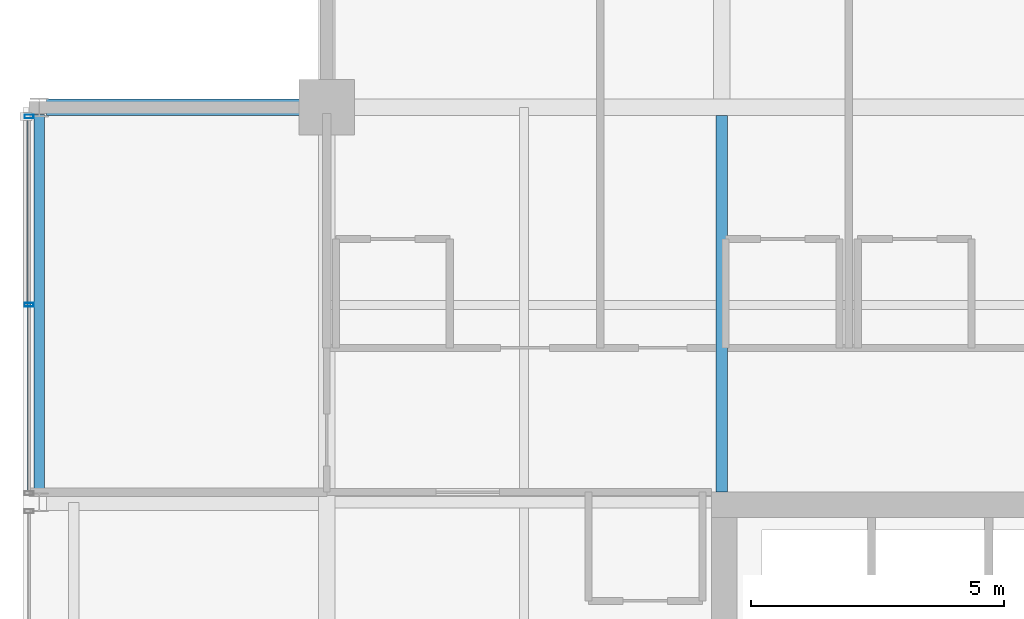
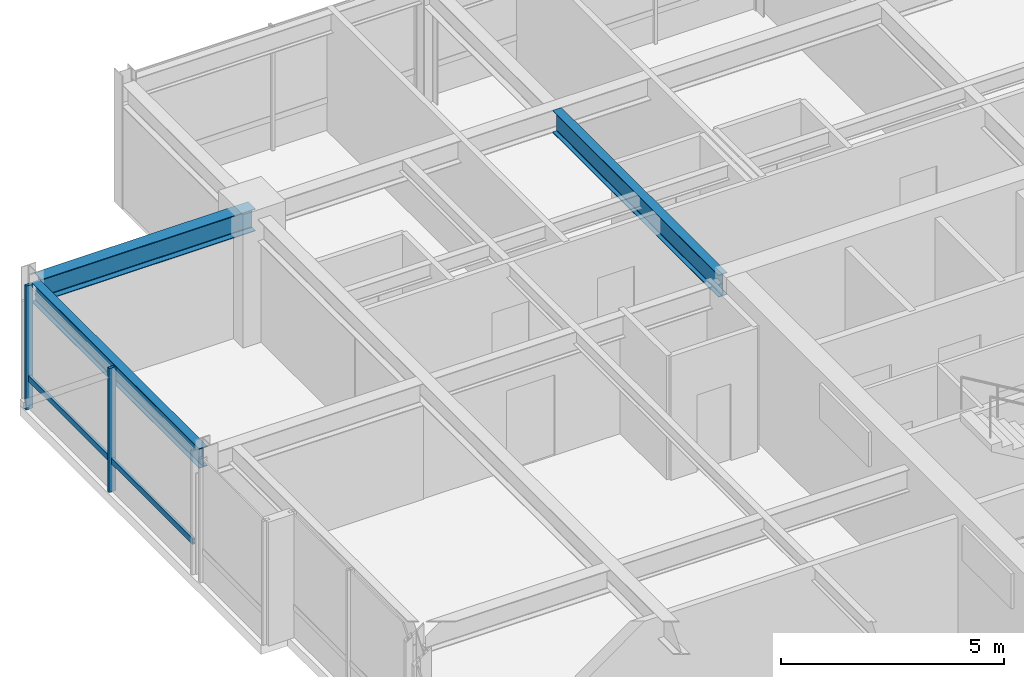
# One storey, part 20 of 33: 3 beams, 3 members, 1 element without a shape of its own.
"""IFC4 building model written with IfcOpenShell, lengths in metres."""

from ifc_helpers import new_model, si_unit, direction, frame, origin, origin_2d, place, context, subcontext, project, spatial, hollow_rectangle, i_section, extrude, material, layer, layer_set, material_profile, profile_set, type_object, element, aggregate, save


model = new_model("IFC4")

# Units and contexts
model_context = context("Model", 3, precision=1e-05, world=origin(), true_north=direction((0.0, 1.0)))
body_context = subcontext(model_context, "Body", "Model", "MODEL_VIEW")
ifc_project = project(units=[si_unit("LENGTHUNIT", "METRE"), si_unit("AREAUNIT", "SQUARE_METRE"), si_unit("VOLUMEUNIT", "CUBIC_METRE"), si_unit("PLANEANGLEUNIT", "RADIAN"), si_unit("MASSUNIT", "GRAM", prefix="KILO")], contexts=[model_context])

# Site, building, storey
site_placement = place(None, origin())
site = spatial("IfcSite", under=ifc_project, at=site_placement, CompositionType="ELEMENT")
building_placement = place(site_placement, origin())
building = spatial("IfcBuilding", under=site, at=building_placement, Name="Drelvath Grand Hotel", CompositionType="ELEMENT")
storey_placement = place(building_placement, frame((0.0, 0.0, 268.64990234375)))
storey = spatial("IfcBuildingStorey", under=building, at=storey_placement, Name="L70", CompositionType="ELEMENT", Elevation=268.64990234375)

# Curtain wall, members
ifc_material_1 = material(Name="Platinum-Mist Anodised Aluminium Frame", Category="aluminium")
ifc_layer = layer(ifc_material_1, 0.199951171875)
ifc_layer_set = layer_set([ifc_layer], Name="Platinum-Mist Anodised Aluminium Frame")
curtain_wall_type = type_object("IfcCurtainWallType", Name="Stick Curtain Wall CW-05 Platinum Mist High-Rise", PredefinedType="NOTDEFINED", material=ifc_layer_set)
curtain_wall_placement = place(storey_placement, origin())
curtain_wall = element("IfcCurtainWall", 1, at=curtain_wall_placement, inside=storey, type_object=curtain_wall_type, Name="L70 CW-05 Curtain Wall CW05-L70-WN2", PredefinedType="NOTDEFINED")
ifc_material_profile_1 = material_profile(ifc_material_1, hollow_rectangle(XDim=0.06494140625, YDim=0.159912109375, WallThickness=0.00390625, at=origin_2d()), Name="HSS160X65X4")
ifc_profile_set_1 = profile_set([ifc_material_profile_1], Name="Platinum-Mist Anodised Aluminium Frame")
member_type_1 = type_object("IfcMemberType", Name="Curtain Wall Horizontal Transom CW-05 HSS160X65X4", PredefinedType="USERDEFINED", material=ifc_profile_set_1)
member_1_placement = place(storey_placement, frame((-22.080078125, 35.6181640625, 0.84765625), z_axis=(0.0, 1.0, 0.0), x_axis=(-1.0, 0.0, 0.0)))
member_1 = element("IfcMember", 2, at=member_1_placement, type_object=member_type_1, Name="CW05-L70-WN2 Sill Transom", ObjectType="TRANSOM", PredefinedType="USERDEFINED", context=body_context, shape_type="SweptSolid", body=[
    extrude(hollow_rectangle(XDim=0.06494140625, YDim=0.159912109375, WallThickness=0.00390625, at=origin_2d()), origin(), (0.0, 0.0, 1.0), 7.363525390625),
])
ifc_material_profile_2 = material_profile(ifc_material_1, hollow_rectangle(XDim=0.074951171875, YDim=0.179931640625, WallThickness=0.0048828125, at=origin_2d()), Name="HSS180X75X5")
ifc_profile_set_2 = profile_set([ifc_material_profile_2], Name="Platinum-Mist Anodised Aluminium Frame")
member_type_2 = type_object("IfcMemberType", Name="Curtain Wall Vertical Mullion CW-05 HSS180X75X5", PredefinedType="MULLION", material=ifc_profile_set_2)
member_2_placement = place(storey_placement, frame((-22.080078125, 39.300048828125, 0.0), z_axis=(0.0, 0.0, 1.0), x_axis=(0.0, 1.0, 0.0)))
member_2 = element("IfcMember", 3, at=member_2_placement, type_object=member_type_2, Name="CW05-L70-WN2 Mullion 2", PredefinedType="MULLION", context=body_context, shape_type="SweptSolid", body=[
    extrude(hollow_rectangle(XDim=0.074951171875, YDim=0.179931640625, WallThickness=0.0048828125, at=origin_2d()), origin(), (0.0, 0.0, 1.0), 3.39013671875),
])
member_3_placement = place(storey_placement, frame((-22.080078125, 43.021728515625, 0.0), z_axis=(0.0, 0.0, 1.0), x_axis=(0.0, 1.0, 0.0)))
member_3 = element("IfcMember", 4, at=member_3_placement, type_object=member_type_2, Name="CW05-L70-WN2 Mullion 3", PredefinedType="MULLION", context=body_context, shape_type="SweptSolid", body=[
    extrude(hollow_rectangle(XDim=0.074951171875, YDim=0.179931640625, WallThickness=0.0048828125, at=origin_2d()), origin(), (0.0, 0.0, 1.0), 3.39013671875),
])
aggregate(curtain_wall, [member_2, member_3, member_1])

# Beams
ifc_material_2 = material(Name="Steel ASTM A992 Gr 50", Category="steel")
ifc_material_profile_3 = material_profile(ifc_material_2, i_section(OverallWidth=0.210205078125, OverallDepth=0.53662109375, WebThickness=0.010986328125, FlangeThickness=0.017333984375, FilletRadius=0.01806640625, at=origin_2d()), Name="W21X68")
ifc_profile_set_3 = profile_set([ifc_material_profile_3], Name="Steel ASTM A992 Gr 50")
beam_type_1 = type_object("IfcBeamType", Name="Perimeter Spandrel Beam W21X68", PredefinedType="SPANDREL", material=ifc_profile_set_3)
beam_1_placement = place(storey_placement, frame((-21.8798828125, 35.5400390625, 3.121826171875), z_axis=(0.0, 1.0, 0.0), x_axis=(-1.0, 0.0, 0.0)))
element("IfcBeam", 5, at=beam_1_placement, inside=storey, type_object=beam_type_1, Name="L70 Spandrel West N", PredefinedType="SPANDREL", context=body_context, shape_type="SweptSolid", body=[
    extrude(i_section(OverallWidth=0.210205078125, OverallDepth=0.53662109375, WebThickness=0.010986328125, FlangeThickness=0.017333984375, FilletRadius=0.01806640625, at=origin_2d()), origin(), (0.0, 0.0, 1.0), 7.52001953125),
])
ifc_material_profile_4 = material_profile(ifc_material_2, i_section(OverallWidth=0.323974609375, OverallDepth=0.611083984375, WebThickness=0.0126953125, FlangeThickness=0.01904296875, FilletRadius=0.02197265625, at=origin_2d()), Name="W24X104")
ifc_profile_set_4 = profile_set([ifc_material_profile_4], Name="Steel ASTM A992 Gr 50")
beam_type_2 = type_object("IfcBeamType", Name="Primary Floor Girder W24X104", PredefinedType="BEAM", material=ifc_profile_set_4)
beam_2_placement = place(storey_placement, frame((-21.739990234375, 43.199951171875, 3.084716796875), z_axis=(1.0, 0.0, 0.0), x_axis=(0.0, 1.0, 0.0)))
element("IfcBeam", 6, at=beam_2_placement, inside=storey, type_object=beam_type_2, Name="L70 West Grid Girder G", PredefinedType="BEAM", context=body_context, shape_type="SweptSolid", body=[
    extrude(i_section(OverallWidth=0.323974609375, OverallDepth=0.611083984375, WebThickness=0.0126953125, FlangeThickness=0.01904296875, FilletRadius=0.02197265625, at=origin_2d()), origin(), (0.0, 0.0, 1.0), 5.5400390625),
])
ifc_material_profile_5 = material_profile(ifc_material_2, i_section(OverallWidth=0.228271484375, OverallDepth=0.607666015625, WebThickness=0.01123046875, FlangeThickness=0.017333984375, FilletRadius=0.02001953125, at=origin_2d()), Name="W24X76")
ifc_profile_set_5 = profile_set([ifc_material_profile_5], Name="Steel ASTM A992 Gr 50")
beam_type_3 = type_object("IfcBeamType", Name="Primary Floor Girder W24X76", PredefinedType="BEAM", material=ifc_profile_set_5)
beam_3_placement = place(storey_placement, frame((-8.39990234375, 35.60009765625, 3.086181640625), z_axis=(0.0, 1.0, 0.0), x_axis=(-1.0, 0.0, 0.0)))
element("IfcBeam", 7, at=beam_3_placement, inside=storey, type_object=beam_type_3, Name="L70 North Core Tie 4", PredefinedType="BEAM", context=body_context, shape_type="SweptSolid", body=[
    extrude(i_section(OverallWidth=0.228271484375, OverallDepth=0.607666015625, WebThickness=0.01123046875, FlangeThickness=0.017333984375, FilletRadius=0.02001953125, at=origin_2d()), origin(), (0.0, 0.0, 1.0), 7.43798828125),
])

save(model, "model.ifc")
